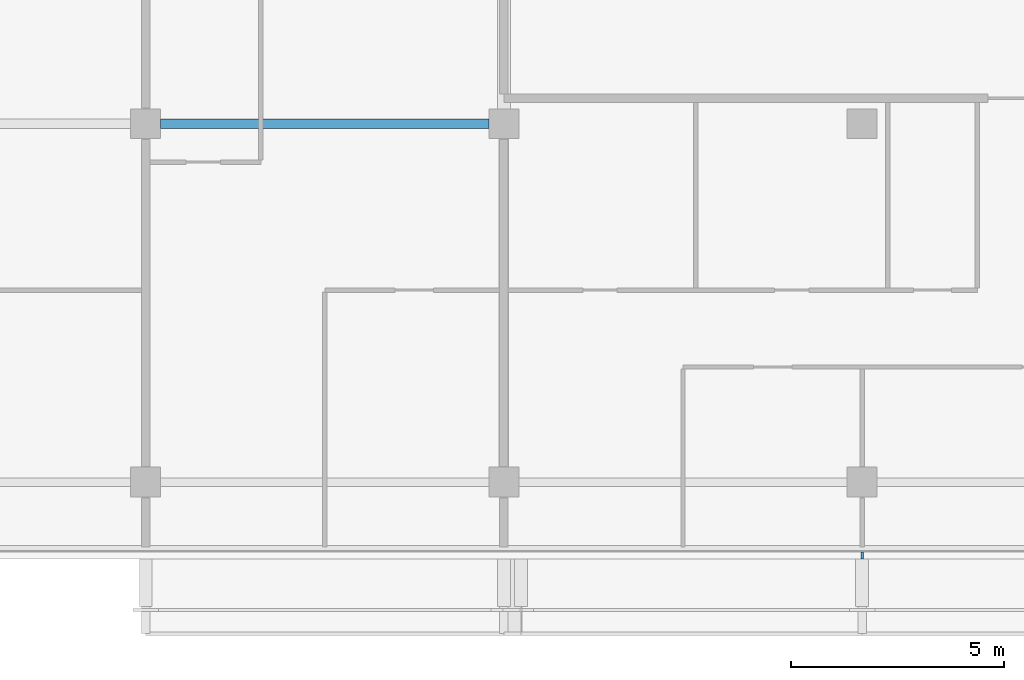
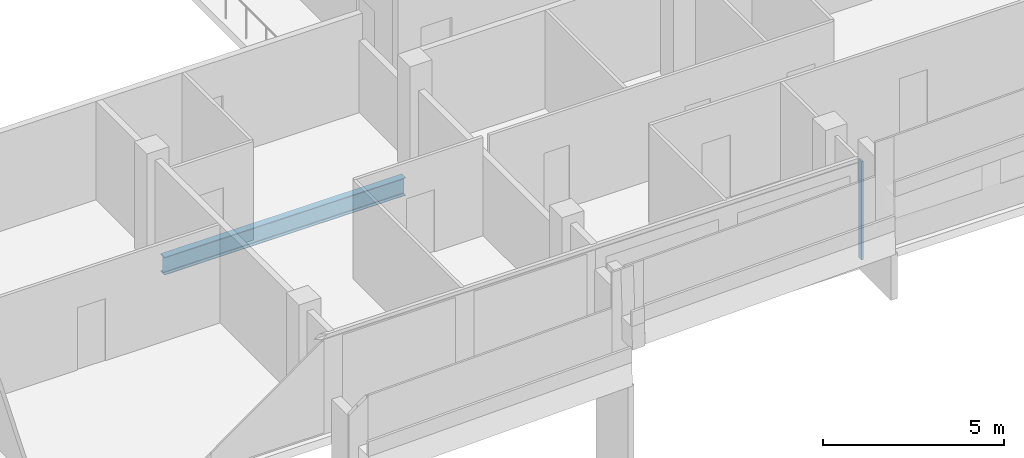
# One storey, part 6 of 28: 1 beam, 1 member, 1 element without a shape of its own.
"""IFC4 building model written with IfcOpenShell, lengths in metres."""

from ifc_helpers import new_model, si_unit, direction, frame, origin, origin_2d, place, context, subcontext, project, spatial, rectangle, i_section, extrude, material, material_profile, profile_set, type_object, element, aggregate, save


model = new_model("IFC4")

# Units and contexts
model_context = context("Model", 3, precision=1e-05, world=origin(), true_north=direction((0.0, 1.0)))
body_context = subcontext(model_context, "Body", "Model", "MODEL_VIEW")
ifc_project = project(units=[si_unit("LENGTHUNIT", "METRE"), si_unit("AREAUNIT", "SQUARE_METRE"), si_unit("VOLUMEUNIT", "CUBIC_METRE"), si_unit("PLANEANGLEUNIT", "RADIAN"), si_unit("MASSUNIT", "GRAM", prefix="KILO")], contexts=[model_context])

# Site, building, storey
site_placement = place(None, origin())
site = spatial("IfcSite", under=ifc_project, at=site_placement, CompositionType="ELEMENT")
building_placement = place(site_placement, origin())
building = spatial("IfcBuilding", under=site, at=building_placement, Name="Saffron Gate Tower", CompositionType="ELEMENT")
storey_placement = place(building_placement, frame((0.0, 0.0, 176.25)))
storey = spatial("IfcBuildingStorey", under=building, at=storey_placement, Name="L43", CompositionType="ELEMENT", Elevation=176.25)

# Beam
ifc_material_1 = material(Name="Structural steel S355", Category="steel")
ifc_material_profile_1 = material_profile(ifc_material_1, i_section(OverallWidth=0.219970703125, OverallDepth=0.60009765625, WebThickness=0.011962890625, FlangeThickness=0.01904296875, FilletRadius=0.02392578125, at=origin_2d()))
ifc_profile_set_1 = profile_set([ifc_material_profile_1], Name="Structural steel S355")
beam_type = type_object("IfcBeamType", Name="B15 IPE 600", PredefinedType="BEAM", material=ifc_profile_set_1)
beam_placement = place(storey_placement, frame((92.14990234375, 40.199951171875, -0.580078125), z_axis=(1.0, 0.0, 0.0), x_axis=(0.0, 1.0, 0.0)))
element("IfcBeam", 1, at=beam_placement, inside=storey, type_object=beam_type, Name="B15 FLOOR GIRDER", PredefinedType="BEAM", context=body_context, shape_type="SweptSolid", body=[
    extrude(i_section(OverallWidth=0.219970703125, OverallDepth=0.60009765625, WebThickness=0.011962890625, FlangeThickness=0.01904296875, FilletRadius=0.02392578125, at=origin_2d()), origin(), (0.0, 0.0, 1.0), 7.7001953125),
])

# Curtain wall, member
ifc_material_2 = material(Name="Aluminium, bronze anodised", Category="aluminium")
curtain_wall_type = type_object("IfcCurtainWallType", Name="CWS1 curtain wall front facade", PredefinedType="NOTDEFINED", material=ifc_material_2)
curtain_wall_placement = place(storey_placement, origin())
curtain_wall = element("IfcCurtainWall", 2, at=curtain_wall_placement, inside=storey, type_object=curtain_wall_type, Name="CWS1 run 1", PredefinedType="NOTDEFINED")
ifc_material_profile_2 = material_profile(ifc_material_2, rectangle(XDim=0.159912109375, YDim=0.06005859375, at=origin_2d()))
ifc_profile_set_2 = profile_set([ifc_material_profile_2], Name="Aluminium, bronze anodised")
member_type = type_object("IfcMemberType", Name="CWS1 mullion 60x160", PredefinedType="MULLION", material=ifc_profile_set_2)
member_placement = place(storey_placement, frame((108.60009765625, 30.080078125, 0.0), z_axis=(0.0, 0.0, 1.0), x_axis=(0.0, 1.0, 0.0)))
member = element("IfcMember", 3, at=member_placement, type_object=member_type, Name="CWS1 mullion 8", PredefinedType="MULLION", context=body_context, shape_type="SweptSolid", body=[
    extrude(rectangle(XDim=0.159912109375, YDim=0.06005859375, at=origin_2d()), origin(), (0.0, 0.0, 1.0), 3.320068359375),
])
aggregate(curtain_wall, [member])

save(model, "model.ifc")
